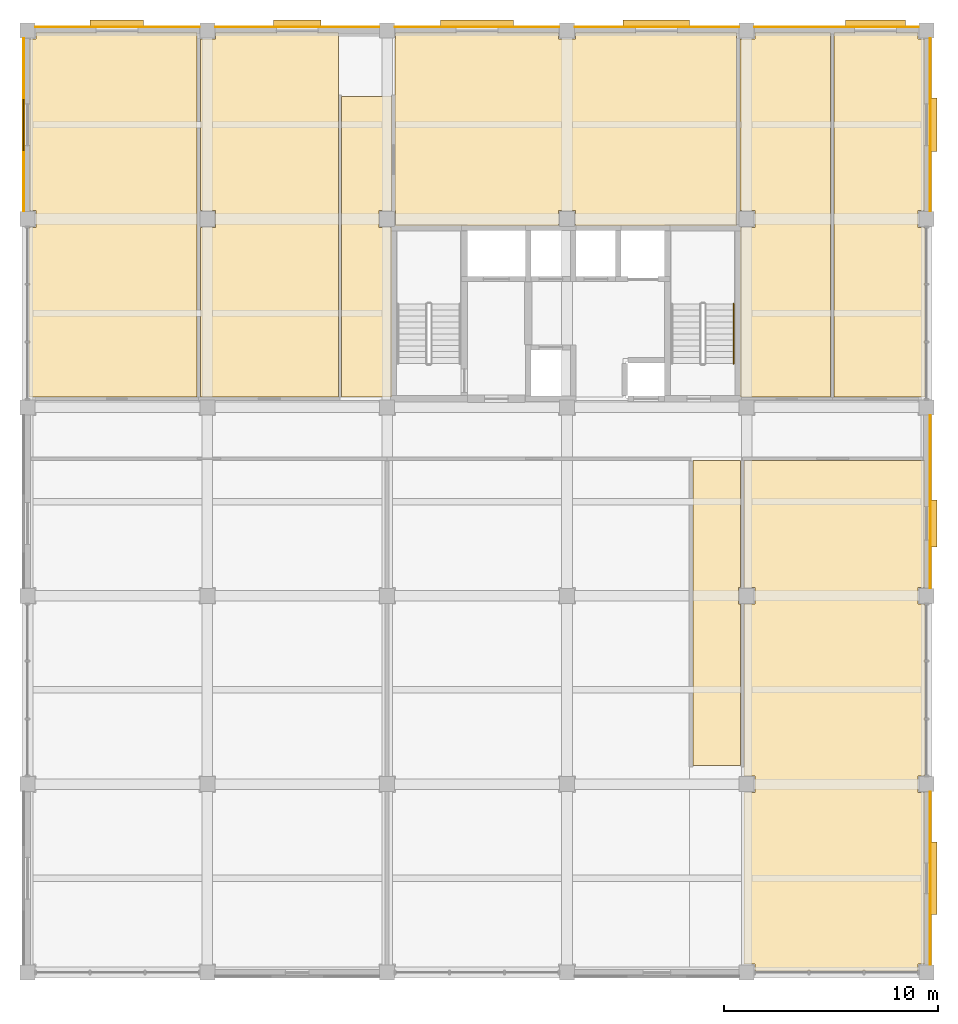
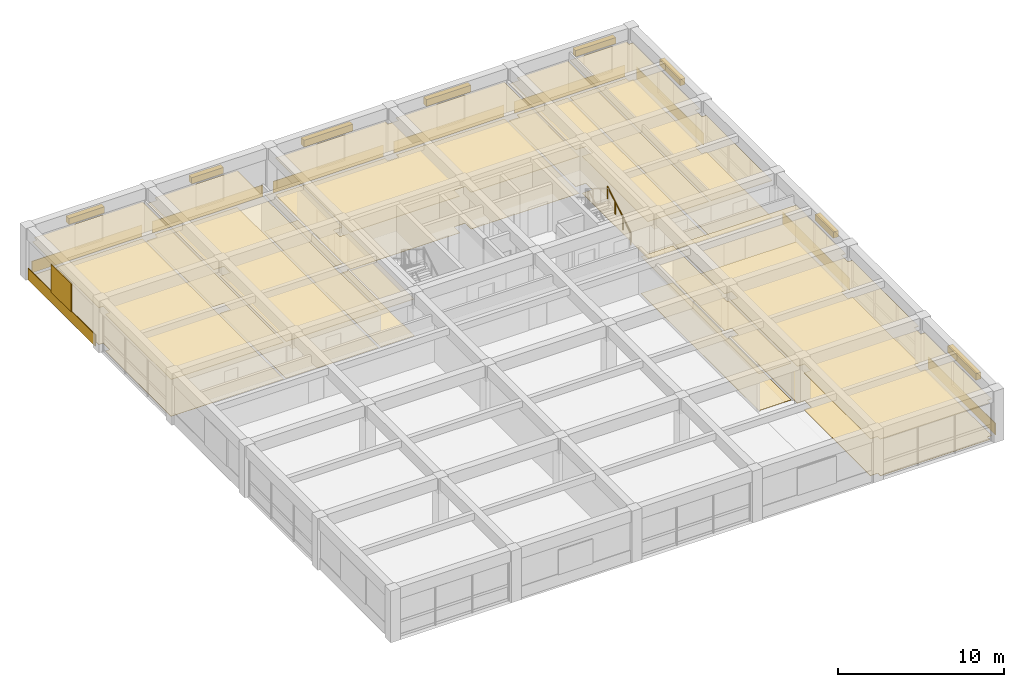
# One storey, part 12 of 12: 25 coverings, 9 shading devices, 1 railing.
"""IFC4 building model written with IfcOpenShell, lengths in metres."""

import ifcopenshell
import ifcopenshell.guid

model = None  # the IFC model being written
_history = None  # IfcOwnerHistory: only IFC2X3 demands one
_inside = {}  # id of a spatial element -> (the spatial element, [elements in it])
_under = {}  # id of a project, library or spatial element -> (it, [spatial elements below it])
_declared = {}  # id of a project -> (the project, [libraries it declares])
_typed = {}  # id of a type object -> (the type object, [elements of that type])
_made_of = {}  # id of a material, layer set ... -> (it, [elements and type objects made of it])


def new_model(schema):
    """Start an empty IFC model of exactly this schema.

    Asked for "IFC4X3", IfcOpenShell would pick the latest addendum, in which some entities
    have other attributes; the version numbers below select the first issue.
    IFC2X3 requires an IfcOwnerHistory on every rooted entity: one is made here for all.
    """
    global model, _history
    if schema == "IFC4X3":
        model = ifcopenshell.file(schema_version=(4, 3, 0, 0))
    else:
        model = ifcopenshell.file(schema=schema)
    _inside.clear()
    _under.clear()
    _declared.clear()
    _typed.clear()
    _made_of.clear()
    _history = None
    if model.schema == "IFC2X3":
        org = make("IfcOrganization", Name="unknown")
        user = make(
            "IfcPersonAndOrganization",
            ThePerson=make("IfcPerson", FamilyName="unknown"),
            TheOrganization=org,
        )
        app = make(
            "IfcApplication",
            ApplicationDeveloper=org,
            Version="unknown",
            ApplicationFullName="unknown",
            ApplicationIdentifier="unknown",
        )
        _history = make(
            "IfcOwnerHistory",
            OwningUser=user,
            OwningApplication=app,
            ChangeAction="ADDED",
            CreationDate=0,
        )
    return model


def make(cls, **values):
    """One entity of the class cls with the attributes given. An attribute that is None is left unset."""
    return model.create_entity(
        cls, **{name: value for name, value in values.items() if value is not None}
    )


def rooted(cls, **values):
    """An entity with a GlobalId (a new one), such as an element, a storey or a relation."""
    return make(cls, GlobalId=ifcopenshell.guid.new(), OwnerHistory=_history, **values)


def si_unit(unit_type, name, prefix=None):
    """IfcSIUnit, for example si_unit("LENGTHUNIT", "METRE", prefix="MILLI")."""
    return make("IfcSIUnit", UnitType=unit_type, Prefix=prefix, Name=name)


def assignment(units):
    """IfcUnitAssignment: the units of a project."""
    return None if units is None else make("IfcUnitAssignment", Units=units)


def point(xyz):
    """IfcCartesianPoint."""
    return None if xyz is None else make("IfcCartesianPoint", Coordinates=xyz)


def direction(xyz):
    """IfcDirection."""
    return None if xyz is None else make("IfcDirection", DirectionRatios=xyz)


def frame(location, z_axis=None, x_axis=None):
    """IfcAxis2Placement3D, a coordinate frame: its origin and axes. An axis left out is left unset."""
    return make(
        "IfcAxis2Placement3D",
        Location=point(location),
        Axis=direction(z_axis),
        RefDirection=direction(x_axis),
    )


def frame_2d(location, x_axis=None):
    """IfcAxis2Placement2D, a coordinate frame in the plane: its origin and x axis."""
    return make(
        "IfcAxis2Placement2D", Location=point(location), RefDirection=direction(x_axis)
    )


def origin():
    """The frame at (0, 0, 0) with its axes left unset."""
    return frame((0.0, 0.0, 0.0))


def origin_2d():
    """The frame at (0, 0) in the plane with its x axis left unset."""
    return frame_2d((0.0, 0.0))


def place(relative_to, where):
    """IfcLocalPlacement: puts the frame where relative to a parent placement (None: the world)."""
    return make(
        "IfcLocalPlacement", PlacementRelTo=relative_to, RelativePlacement=where
    )


def context(
    kind, dimensions, precision=None, world=None, true_north=None, identifier=None
):
    """IfcGeometricRepresentationContext, for example the 3D "Model" context."""
    return make(
        "IfcGeometricRepresentationContext",
        ContextIdentifier=identifier,
        ContextType=kind,
        CoordinateSpaceDimension=dimensions,
        Precision=precision,
        WorldCoordinateSystem=world,
        TrueNorth=true_north,
    )


def subcontext(parent, identifier, kind, view, scale=None):
    """IfcGeometricRepresentationSubContext, for example "Body" below "Model"."""
    return make(
        "IfcGeometricRepresentationSubContext",
        ContextIdentifier=identifier,
        ContextType=kind,
        ParentContext=parent,
        TargetScale=scale,
        TargetView=view,
    )


def project(units=None, contexts=None):
    """IfcProject with its units and contexts."""
    return rooted(
        "IfcProject",
        Name="project",
        RepresentationContexts=contexts,
        UnitsInContext=assignment(units),
    )


def spatial(cls, under=None, at=None, **own):
    """A site, building, storey or space (cls), placed at a placement, below another one or the project."""
    s = rooted(cls, ObjectPlacement=at, **own)
    if under is not None:
        _under.setdefault(under.id(), (under, []))[1].append(s)
    return s


def polyline(points):
    """IfcPolyline through the points."""
    return make("IfcPolyline", Points=[point(p) for p in points])


def profile(cls, at=None, kind="AREA", **sizes):
    """A parametric profile (cls). Its sizes go by their IFC names, for example OverallWidth=200.0."""
    return make(cls, ProfileType=kind, Position=at, **sizes)


def rectangle(**sizes):
    """IfcRectangleProfileDef."""
    return profile("IfcRectangleProfileDef", **sizes)


def circle(**sizes):
    """IfcCircleProfileDef."""
    return profile("IfcCircleProfileDef", **sizes)


def outline(outer, holes=None, kind="AREA"):
    """IfcArbitraryClosedProfileDef: a profile drawn as a closed curve; with holes, ...WithVoids."""
    if holes is None:
        return make("IfcArbitraryClosedProfileDef", ProfileType=kind, OuterCurve=outer)
    return make(
        "IfcArbitraryProfileDefWithVoids",
        ProfileType=kind,
        OuterCurve=outer,
        InnerCurves=holes,
    )


def extrude(swept, where, along, depth):
    """IfcExtrudedAreaSolid: the profile swept, set in the frame where, extruded along a direction by depth."""
    return make(
        "IfcExtrudedAreaSolid",
        SweptArea=swept,
        Position=where,
        ExtrudedDirection=direction(along),
        Depth=depth,
    )


def shape(context_of_items, identifier, shape_type, items):
    """IfcShapeRepresentation: the items that make up one representation, for example the "Body"."""
    return make(
        "IfcShapeRepresentation",
        ContextOfItems=context_of_items,
        RepresentationIdentifier=identifier,
        RepresentationType=shape_type,
        Items=items,
    )


def material(Name=None, Category=None):
    """IfcMaterial."""
    return make("IfcMaterial", Name=Name, Category=Category)


def layer(
    of_material, thickness, ventilated=None, Name=None, Category=None, Priority=None
):
    """IfcMaterialLayer: one layer of a wall or slab, of a material (None: an air gap)."""
    return make(
        "IfcMaterialLayer",
        Material=of_material,
        LayerThickness=thickness,
        IsVentilated=ventilated,
        Name=Name,
        Category=Category,
        Priority=Priority,
    )


def layer_set(layers, Name=None):
    """IfcMaterialLayerSet."""
    return make("IfcMaterialLayerSet", MaterialLayers=layers, LayerSetName=Name)


def made_of(thing, what):
    """Note that an element or type object is made of a material, layer set ...; save() writes the relation."""
    if what is not None:
        _made_of.setdefault(what.id(), (what, []))[1].append(thing)
    return thing


def type_object(cls, material=None, **own):
    """A type object (cls), such as IfcWallType, which elements share."""
    return made_of(rooted(cls, **own), material)


def element(
    cls,
    number,
    at=None,
    inside=None,
    cuts=None,
    type_object=None,
    material=None,
    context=None,
    identifier="Body",
    shape_type=None,
    held_by="IfcProductDefinitionShape",
    body=None,
    shapes=None,
    **own,
):
    """One element of the class cls, such as IfcWall. Its Tag is "e" and its number.

    at: its placement. inside: the storey or other place that contains it. cuts: it is an
    opening in that element (IfcRelVoidsElement). A single representation is given by context,
    identifier, shape_type and body (its items); several are given by shapes. held_by: the class
    of the entity that holds the representations. save() writes the other relations.
    """
    e = rooted(cls, Tag="e%d" % number, ObjectPlacement=at, **own)
    if body is not None:
        shapes = [shape(context, identifier, shape_type, body)]
    if shapes is not None:
        e.Representation = make(held_by, Representations=shapes)
    if inside is not None:
        _inside.setdefault(inside.id(), (inside, []))[1].append(e)
    if cuts is not None:
        rooted(
            "IfcRelVoidsElement", RelatingBuildingElement=cuts, RelatedOpeningElement=e
        )
    if type_object is not None:
        _typed.setdefault(type_object.id(), (type_object, []))[1].append(e)
    return made_of(e, material)


def aggregate(whole, parts):
    """IfcRelAggregates: a whole, such as a stair, and the parts it consists of."""
    return rooted("IfcRelAggregates", RelatingObject=whole, RelatedObjects=parts)


def save(model, path):
    """Write the relations noted so far, then the file.

    IfcRelAggregates (storeys below a building ...), IfcRelContainedInSpatialStructure (elements
    in a storey), IfcRelDefinesByType, IfcRelAssociatesMaterial and IfcRelDeclares: one each for
    every whole, place, type object, material and project.
    """
    for whole, parts in _under.values():
        aggregate(whole, parts)
    for where, things in _inside.values():
        rooted(
            "IfcRelContainedInSpatialStructure",
            RelatedElements=things,
            RelatingStructure=where,
        )
    for kind, things in _typed.values():
        rooted("IfcRelDefinesByType", RelatedObjects=things, RelatingType=kind)
    for what, things in _made_of.values():
        rooted("IfcRelAssociatesMaterial", RelatedObjects=things, RelatingMaterial=what)
    for by, libraries in _declared.values():
        rooted("IfcRelDeclares", RelatingContext=by, RelatedDefinitions=libraries)
    model.write(path)


model = new_model("IFC4")

# Units and contexts
model_context = context("Model", 3, precision=1e-05, world=origin(), true_north=direction((0.0, 1.0)))
body_context = subcontext(model_context, "Body", "Model", "MODEL_VIEW")
ifc_project = project(units=[si_unit("LENGTHUNIT", "METRE"), si_unit("AREAUNIT", "SQUARE_METRE"), si_unit("VOLUMEUNIT", "CUBIC_METRE"), si_unit("PLANEANGLEUNIT", "RADIAN"), si_unit("MASSUNIT", "GRAM", prefix="KILO")], contexts=[model_context])

# Site, building, storey
site_placement = place(None, origin())
site = spatial("IfcSite", under=ifc_project, at=site_placement, CompositionType="ELEMENT")
building_placement = place(site_placement, origin())
building = spatial("IfcBuilding", under=site, at=building_placement, Name="Kemercrest Conservatory and Botanical Centre", CompositionType="ELEMENT")
storey_placement = place(building_placement, frame((0.0, 0.0, 21.0)))
storey = spatial("IfcBuildingStorey", under=building, at=storey_placement, Name="L05", CompositionType="ELEMENT", Elevation=21.0)

# Coverings
ifc_material_1 = material(Name="Honed limestone almasik ashlar rainscreen", Category="masonry")
ifc_layer_1 = layer(ifc_material_1, 0.0400390625)
ifc_layer_set_1 = layer_set([ifc_layer_1], Name="Honed limestone almasik ashlar rainscreen")
covering_type_1 = type_object("IfcCoveringType", Name="CV-CLD040", PredefinedType="CLADDING", material=ifc_layer_set_1)
covering_1_placement = place(storey_placement, origin())
element("IfcCovering", 1, at=covering_1_placement, inside=storey, type_object=covering_type_1, Name="Exterior stone spandrel cladding (WAL:L05:EXT-239)", PredefinedType="CLADDING", context=body_context, shape_type="SweptSolid", body=[
    extrude(outline(polyline([(176.14990234375, 78.760009765625), (176.18994140625, 78.760009765625), (176.18994140625, 86.840087890625), (176.14990234375, 86.840087890625), (176.14990234375, 78.760009765625)])), origin(), (0.0, 0.0, 1.0), 0.85009765625),
])
covering_2_placement = place(storey_placement, origin())
element("IfcCovering", 2, at=covering_2_placement, inside=storey, type_object=covering_type_1, Name="Exterior stone spandrel cladding (WAL:L05:EXT-240)", PredefinedType="CLADDING", context=body_context, shape_type="SweptSolid", body=[
    extrude(outline(polyline([(176.14990234375, 96.360107421875), (176.18994140625, 96.360107421875), (176.18994140625, 104.43994140625), (176.14990234375, 104.43994140625), (176.14990234375, 96.360107421875)])), origin(), (0.0, 0.0, 1.0), 0.85009765625),
])
covering_3_placement = place(storey_placement, origin())
element("IfcCovering", 3, at=covering_3_placement, inside=storey, type_object=covering_type_1, Name="Exterior stone spandrel cladding (WAL:L05:EXT-241)", PredefinedType="CLADDING", context=body_context, shape_type="SweptSolid", body=[
    extrude(outline(polyline([(176.14990234375, 113.9599609375), (176.18994140625, 113.9599609375), (176.18994140625, 122.0400390625), (176.14990234375, 122.0400390625), (176.14990234375, 113.9599609375)])), origin(), (0.0, 0.0, 1.0), 0.85009765625),
])
covering_4_placement = place(storey_placement, origin())
element("IfcCovering", 4, at=covering_4_placement, inside=storey, type_object=covering_type_1, Name="Exterior stone spandrel cladding (WAL:L05:EXT-242)", PredefinedType="CLADDING", context=body_context, shape_type="SweptSolid", body=[
    extrude(outline(polyline([(175.639892578125, 122.550048828125), (175.639892578125, 122.590087890625), (167.9599609375, 122.590087890625), (167.9599609375, 122.550048828125), (175.639892578125, 122.550048828125)])), origin(), (0.0, 0.0, 1.0), 0.85009765625),
])
covering_5_placement = place(storey_placement, origin())
element("IfcCovering", 5, at=covering_5_placement, inside=storey, type_object=covering_type_1, Name="Exterior stone spandrel cladding (WAL:L05:EXT-243)", PredefinedType="CLADDING", context=body_context, shape_type="SweptSolid", body=[
    extrude(outline(polyline([(167.239990234375, 122.550048828125), (167.239990234375, 122.590087890625), (159.56005859375, 122.590087890625), (159.56005859375, 122.550048828125), (167.239990234375, 122.550048828125)])), origin(), (0.0, 0.0, 1.0), 0.85009765625),
])
covering_6_placement = place(storey_placement, origin())
element("IfcCovering", 6, at=covering_6_placement, inside=storey, type_object=covering_type_1, Name="Exterior stone spandrel cladding (WAL:L05:EXT-244)", PredefinedType="CLADDING", context=body_context, shape_type="SweptSolid", body=[
    extrude(outline(polyline([(158.840087890625, 122.550048828125), (158.840087890625, 122.590087890625), (151.159912109375, 122.590087890625), (151.159912109375, 122.550048828125), (158.840087890625, 122.550048828125)])), origin(), (0.0, 0.0, 1.0), 0.85009765625),
])
covering_7_placement = place(storey_placement, origin())
element("IfcCovering", 7, at=covering_7_placement, inside=storey, type_object=covering_type_1, Name="Exterior stone spandrel cladding (WAL:L05:EXT-245)", PredefinedType="CLADDING", context=body_context, shape_type="SweptSolid", body=[
    extrude(outline(polyline([(150.43994140625, 122.550048828125), (150.43994140625, 122.590087890625), (142.760009765625, 122.590087890625), (142.760009765625, 122.550048828125), (150.43994140625, 122.550048828125)])), origin(), (0.0, 0.0, 1.0), 0.85009765625),
])
covering_8_placement = place(storey_placement, origin())
element("IfcCovering", 8, at=covering_8_placement, inside=storey, type_object=covering_type_1, Name="Exterior stone spandrel cladding (WAL:L05:EXT-246)", PredefinedType="CLADDING", context=body_context, shape_type="SweptSolid", body=[
    extrude(outline(polyline([(142.0400390625, 122.550048828125), (142.0400390625, 122.590087890625), (134.360107421875, 122.590087890625), (134.360107421875, 122.550048828125), (142.0400390625, 122.550048828125)])), origin(), (0.0, 0.0, 1.0), 0.85009765625),
])
covering_9_placement = place(storey_placement, origin())
element("IfcCovering", 9, at=covering_9_placement, inside=storey, type_object=covering_type_1, Name="Exterior stone spandrel cladding (WAL:L05:EXT-247)", PredefinedType="CLADDING", context=body_context, shape_type="SweptSolid", body=[
    extrude(outline(polyline([(133.85009765625, 122.0400390625), (133.81005859375, 122.0400390625), (133.81005859375, 113.9599609375), (133.85009765625, 113.9599609375), (133.85009765625, 122.0400390625)])), origin(), (0.0, 0.0, 1.0), 0.85009765625),
])
ifc_material_2 = material(Name="Perforated acoustic gypsum and mineral-fibre suspended ceiling", Category="gypsum")
ifc_layer_2 = layer(ifc_material_2, 0.034912109375)
ifc_layer_set_2 = layer_set([ifc_layer_2], Name="Perforated acoustic gypsum and mineral-fibre suspended ceiling")
covering_type_2 = type_object("IfcCoveringType", Name="CV-CLG035", PredefinedType="CEILING", material=ifc_layer_set_2)
covering_10_placement = place(storey_placement, frame((0.0, 0.0, 2.699951171875)))
element("IfcCovering", 10, at=covering_10_placement, inside=storey, type_object=covering_type_2, Name="East Lab Corridor suspended acoustic ceiling", PredefinedType="CEILING", context=body_context, shape_type="SweptSolid", body=[
    extrude(outline(polyline([(165.080078125, 88.080078125), (167.320068359375, 88.080078125), (167.320068359375, 95.610107421875), (167.2099609375, 95.610107421875), (167.2099609375, 96.389892578125), (167.320068359375, 96.389892578125), (167.320068359375, 102.320068359375), (165.080078125, 102.320068359375), (165.080078125, 88.080078125)])), origin(), (0.0, 0.0, 1.0), 0.03515625),
])
covering_11_placement = place(storey_placement, frame((0.0, 0.0, 2.699951171875)))
element("IfcCovering", 11, at=covering_11_placement, inside=storey, type_object=covering_type_2, Name="Botanical Seminar Room suspended acoustic ceiling", PredefinedType="CEILING", context=body_context, shape_type="SweptSolid", body=[
    extrude(outline(polyline([(167.989990234375, 78.47998046875), (175.610107421875, 78.47998046875), (175.610107421875, 78.7900390625), (175.919921875, 78.7900390625), (175.919921875, 86.81005859375), (175.610107421875, 86.81005859375), (175.610107421875, 87.590087890625), (175.919921875, 87.590087890625), (175.919921875, 95.610107421875), (175.610107421875, 95.610107421875), (175.610107421875, 96.389892578125), (175.919921875, 96.389892578125), (175.919921875, 102.320068359375), (167.47998046875, 102.320068359375), (167.47998046875, 96.389892578125), (167.989990234375, 96.389892578125), (167.989990234375, 95.610107421875), (167.47998046875, 95.610107421875), (167.47998046875, 87.590087890625), (167.989990234375, 87.590087890625), (167.989990234375, 86.81005859375), (167.47998046875, 86.81005859375), (167.47998046875, 78.7900390625), (167.989990234375, 78.7900390625), (167.989990234375, 78.47998046875)])), origin(), (0.0, 0.0, 1.0), 0.03515625),
])
covering_12_placement = place(storey_placement, frame((0.0, 0.0, 2.699951171875)))
element("IfcCovering", 12, at=covering_12_placement, inside=storey, type_object=covering_type_2, Name="Taxonomic Write-Up Office suspended acoustic ceiling", PredefinedType="CEILING", context=body_context, shape_type="SweptSolid", body=[
    extrude(outline(polyline([(134.080078125, 105.280029296875), (141.919921875, 105.280029296875), (141.919921875, 122.320068359375), (134.389892578125, 122.320068359375), (134.389892578125, 122.010009765625), (134.080078125, 122.010009765625), (134.080078125, 113.989990234375), (134.389892578125, 113.989990234375), (134.389892578125, 113.2099609375), (134.080078125, 113.2099609375), (134.080078125, 105.280029296875)])), origin(), (0.0, 0.0, 1.0), 0.03515625),
])
covering_13_placement = place(storey_placement, frame((0.0, 0.0, 2.699951171875)))
element("IfcCovering", 13, at=covering_13_placement, inside=storey, type_object=covering_type_2, Name="Dry Botany Studio suspended acoustic ceiling", PredefinedType="CEILING", context=body_context, shape_type="SweptSolid", body=[
    extrude(outline(polyline([(142.080078125, 105.280029296875), (148.52001953125, 105.280029296875), (148.52001953125, 122.320068359375), (142.7900390625, 122.320068359375), (142.7900390625, 122.010009765625), (142.080078125, 122.010009765625), (142.080078125, 113.989990234375), (142.7900390625, 113.989990234375), (142.7900390625, 113.2099609375), (142.080078125, 113.2099609375), (142.080078125, 105.280029296875)])), origin(), (0.0, 0.0, 1.0), 0.03515625),
])
covering_14_placement = place(storey_placement, frame((0.0, 0.0, 2.699951171875)))
element("IfcCovering", 14, at=covering_14_placement, inside=storey, type_object=covering_type_2, Name="Autoclave and Media Laboratory suspended acoustic ceiling", PredefinedType="CEILING", context=body_context, shape_type="SweptSolid", body=[
    extrude(outline(polyline([(159.590087890625, 113.280029296875), (167.1201171875, 113.280029296875), (167.1201171875, 122.320068359375), (159.590087890625, 122.320068359375), (159.590087890625, 122.010009765625), (158.81005859375, 122.010009765625), (158.81005859375, 122.320068359375), (151.18994140625, 122.320068359375), (151.18994140625, 122.010009765625), (151.179931640625, 122.010009765625), (151.179931640625, 113.989990234375), (151.18994140625, 113.989990234375), (151.18994140625, 113.280029296875), (158.81005859375, 113.280029296875), (158.81005859375, 113.989990234375), (159.590087890625, 113.989990234375), (159.590087890625, 113.280029296875)])), origin(), (0.0, 0.0, 1.0), 0.03515625),
])
covering_15_placement = place(storey_placement, frame((0.0, 0.0, 2.699951171875)))
element("IfcCovering", 15, at=covering_15_placement, inside=storey, type_object=covering_type_2, Name="North Core Lobby Branch suspended acoustic ceiling", PredefinedType="CEILING", context=body_context, shape_type="SweptSolid", body=[
    extrude(outline(polyline([(148.679931640625, 105.280029296875), (151.02001953125, 105.280029296875), (151.02001953125, 113.2099609375), (150.409912109375, 113.2099609375), (150.409912109375, 113.989990234375), (151.02001953125, 113.989990234375), (151.02001953125, 119.320068359375), (148.679931640625, 119.320068359375), (148.679931640625, 105.280029296875)])), origin(), (0.0, 0.0, 1.0), 0.03515625),
])
covering_16_placement = place(storey_placement, frame((0.0, 0.0, 2.699951171875)))
element("IfcCovering", 16, at=covering_16_placement, inside=storey, type_object=covering_type_2, Name="Staff Washroom suspended acoustic ceiling", PredefinedType="CEILING", context=body_context, shape_type="SweptSolid", body=[
    extrude(outline(polyline([(167.280029296875, 105.280029296875), (171.52001953125, 105.280029296875), (171.52001953125, 122.320068359375), (167.989990234375, 122.320068359375), (167.989990234375, 122.010009765625), (167.280029296875, 122.010009765625), (167.280029296875, 113.989990234375), (167.989990234375, 113.989990234375), (167.989990234375, 113.2099609375), (167.280029296875, 113.2099609375), (167.280029296875, 105.280029296875)])), origin(), (0.0, 0.0, 1.0), 0.03515625),
])
covering_17_placement = place(storey_placement, frame((0.0, 0.0, 2.699951171875)))
element("IfcCovering", 17, at=covering_17_placement, inside=storey, type_object=covering_type_2, Name="Accessible Washroom suspended acoustic ceiling", PredefinedType="CEILING", context=body_context, shape_type="SweptSolid", body=[
    extrude(outline(polyline([(171.679931640625, 105.280029296875), (175.919921875, 105.280029296875), (175.919921875, 113.2099609375), (175.610107421875, 113.2099609375), (175.610107421875, 113.989990234375), (175.919921875, 113.989990234375), (175.919921875, 122.010009765625), (175.610107421875, 122.010009765625), (175.610107421875, 122.320068359375), (171.679931640625, 122.320068359375), (171.679931640625, 105.280029296875)])), origin(), (0.0, 0.0, 1.0), 0.03515625),
])
ifc_material_3 = material(Name="Polished limestone terrazzo and seamless laboratory epoxy flooring", Category="masonry")
ifc_layer_3 = layer(ifc_material_3, 0.02001953125)
ifc_layer_set_3 = layer_set([ifc_layer_3], Name="Polished limestone terrazzo and seamless laboratory epoxy flooring")
covering_type_3 = type_object("IfcCoveringType", Name="CV-FLR020", PredefinedType="FLOORING", material=ifc_layer_set_3)
covering_18_placement = place(storey_placement, origin())
element("IfcCovering", 18, at=covering_18_placement, inside=storey, type_object=covering_type_3, Name="East Lab Corridor floor finish", PredefinedType="FLOORING", context=body_context, shape_type="SweptSolid", body=[
    extrude(outline(polyline([(165.080078125, 88.080078125), (167.320068359375, 88.080078125), (167.320068359375, 95.610107421875), (167.2099609375, 95.610107421875), (167.2099609375, 96.389892578125), (167.320068359375, 96.389892578125), (167.320068359375, 102.320068359375), (165.080078125, 102.320068359375), (165.080078125, 88.080078125)])), origin(), (0.0, 0.0, 1.0), 0.02001953125),
])
covering_19_placement = place(storey_placement, origin())
element("IfcCovering", 19, at=covering_19_placement, inside=storey, type_object=covering_type_3, Name="Botanical Seminar Room floor finish", PredefinedType="FLOORING", context=body_context, shape_type="SweptSolid", body=[
    extrude(outline(polyline([(167.989990234375, 78.47998046875), (175.610107421875, 78.47998046875), (175.610107421875, 78.7900390625), (175.919921875, 78.7900390625), (175.919921875, 86.81005859375), (175.610107421875, 86.81005859375), (175.610107421875, 87.590087890625), (175.919921875, 87.590087890625), (175.919921875, 95.610107421875), (175.610107421875, 95.610107421875), (175.610107421875, 96.389892578125), (175.919921875, 96.389892578125), (175.919921875, 102.320068359375), (167.47998046875, 102.320068359375), (167.47998046875, 96.389892578125), (167.989990234375, 96.389892578125), (167.989990234375, 95.610107421875), (167.47998046875, 95.610107421875), (167.47998046875, 87.590087890625), (167.989990234375, 87.590087890625), (167.989990234375, 86.81005859375), (167.47998046875, 86.81005859375), (167.47998046875, 78.7900390625), (167.989990234375, 78.7900390625), (167.989990234375, 78.47998046875)])), origin(), (0.0, 0.0, 1.0), 0.02001953125),
])
covering_20_placement = place(storey_placement, origin())
element("IfcCovering", 20, at=covering_20_placement, inside=storey, type_object=covering_type_3, Name="Taxonomic Write-Up Office floor finish", PredefinedType="FLOORING", context=body_context, shape_type="SweptSolid", body=[
    extrude(outline(polyline([(134.080078125, 105.280029296875), (141.919921875, 105.280029296875), (141.919921875, 122.320068359375), (134.389892578125, 122.320068359375), (134.389892578125, 122.010009765625), (134.080078125, 122.010009765625), (134.080078125, 113.989990234375), (134.389892578125, 113.989990234375), (134.389892578125, 113.2099609375), (134.080078125, 113.2099609375), (134.080078125, 105.280029296875)])), origin(), (0.0, 0.0, 1.0), 0.02001953125),
])
covering_21_placement = place(storey_placement, origin())
element("IfcCovering", 21, at=covering_21_placement, inside=storey, type_object=covering_type_3, Name="Dry Botany Studio floor finish", PredefinedType="FLOORING", context=body_context, shape_type="SweptSolid", body=[
    extrude(outline(polyline([(142.080078125, 105.280029296875), (148.52001953125, 105.280029296875), (148.52001953125, 122.320068359375), (142.7900390625, 122.320068359375), (142.7900390625, 122.010009765625), (142.080078125, 122.010009765625), (142.080078125, 113.989990234375), (142.7900390625, 113.989990234375), (142.7900390625, 113.2099609375), (142.080078125, 113.2099609375), (142.080078125, 105.280029296875)])), origin(), (0.0, 0.0, 1.0), 0.02001953125),
])
covering_22_placement = place(storey_placement, origin())
element("IfcCovering", 22, at=covering_22_placement, inside=storey, type_object=covering_type_3, Name="Autoclave and Media Laboratory floor finish", PredefinedType="FLOORING", context=body_context, shape_type="SweptSolid", body=[
    extrude(outline(polyline([(159.590087890625, 113.280029296875), (167.1201171875, 113.280029296875), (167.1201171875, 122.320068359375), (159.590087890625, 122.320068359375), (159.590087890625, 122.010009765625), (158.81005859375, 122.010009765625), (158.81005859375, 122.320068359375), (151.18994140625, 122.320068359375), (151.18994140625, 122.010009765625), (151.179931640625, 122.010009765625), (151.179931640625, 113.989990234375), (151.18994140625, 113.989990234375), (151.18994140625, 113.280029296875), (158.81005859375, 113.280029296875), (158.81005859375, 113.989990234375), (159.590087890625, 113.989990234375), (159.590087890625, 113.280029296875)])), origin(), (0.0, 0.0, 1.0), 0.02001953125),
])
covering_23_placement = place(storey_placement, origin())
element("IfcCovering", 23, at=covering_23_placement, inside=storey, type_object=covering_type_3, Name="North Core Lobby Branch floor finish", PredefinedType="FLOORING", context=body_context, shape_type="SweptSolid", body=[
    extrude(outline(polyline([(148.679931640625, 105.280029296875), (151.02001953125, 105.280029296875), (151.02001953125, 113.2099609375), (150.409912109375, 113.2099609375), (150.409912109375, 113.989990234375), (151.02001953125, 113.989990234375), (151.02001953125, 119.320068359375), (148.679931640625, 119.320068359375), (148.679931640625, 105.280029296875)])), origin(), (0.0, 0.0, 1.0), 0.02001953125),
])
covering_24_placement = place(storey_placement, origin())
element("IfcCovering", 24, at=covering_24_placement, inside=storey, type_object=covering_type_3, Name="Staff Washroom floor finish", PredefinedType="FLOORING", context=body_context, shape_type="SweptSolid", body=[
    extrude(outline(polyline([(167.280029296875, 105.280029296875), (171.52001953125, 105.280029296875), (171.52001953125, 122.320068359375), (167.989990234375, 122.320068359375), (167.989990234375, 122.010009765625), (167.280029296875, 122.010009765625), (167.280029296875, 113.989990234375), (167.989990234375, 113.989990234375), (167.989990234375, 113.2099609375), (167.280029296875, 113.2099609375), (167.280029296875, 105.280029296875)])), origin(), (0.0, 0.0, 1.0), 0.02001953125),
])
covering_25_placement = place(storey_placement, origin())
element("IfcCovering", 25, at=covering_25_placement, inside=storey, type_object=covering_type_3, Name="Accessible Washroom floor finish", PredefinedType="FLOORING", context=body_context, shape_type="SweptSolid", body=[
    extrude(outline(polyline([(171.679931640625, 105.280029296875), (175.919921875, 105.280029296875), (175.919921875, 113.2099609375), (175.610107421875, 113.2099609375), (175.610107421875, 113.989990234375), (175.919921875, 113.989990234375), (175.919921875, 122.010009765625), (175.610107421875, 122.010009765625), (175.610107421875, 122.320068359375), (171.679931640625, 122.320068359375), (171.679931640625, 105.280029296875)])), origin(), (0.0, 0.0, 1.0), 0.02001953125),
])

# Railing
ifc_material_4 = material(Name="Brushed stainless steel wall-mounted handrail", Category="steel")
railing_type = type_object("IfcRailingType", Name="HR-STR090", PredefinedType="HANDRAIL", material=ifc_material_4)
railing_placement = place(storey_placement, frame((166.989990234375, 106.840087890625, 0.172607421875)))
element("IfcRailing", 26, at=railing_placement, inside=storey, type_object=railing_type, Name="L05 ST-V4B stair handrail 1", PredefinedType="HANDRAIL", context=body_context, shape_type="SweptSolid", body=[
    extrude(circle(Radius=0.02392578125, at=origin_2d()), frame((0.0, 0.0, 0.8759765625), z_axis=(0.0, 0.851069175582, 0.525053576669), x_axis=(-1.0, 0.0, 0.0)), (0.0, 0.0, 1.0), 3.289794921875),
    extrude(circle(Radius=0.02099609375, at=origin_2d()), origin(), (0.0, 0.0, 1.0), 0.851806640625),
    extrude(circle(Radius=0.02099609375, at=origin_2d()), frame((0.0, 0.933349609375, 0.57568359375)), (0.0, 0.0, 1.0), 0.851806640625),
    extrude(circle(Radius=0.02099609375, at=origin_2d()), frame((0.0, 1.866455078125, 1.151611328125)), (0.0, 0.0, 1.0), 0.851806640625),
    extrude(circle(Radius=0.02099609375, at=origin_2d()), frame((0.0, 2.7998046875, 1.727294921875)), (0.0, 0.0, 1.0), 0.851806640625),
])

# Shading devices
ifc_material_5 = material(Name="Architectural bronze-anodized extruded aluminium", Category="aluminium")
shading_device_type_1 = type_object("IfcShadingDeviceType", Name="SH-JL01", PredefinedType="JALOUSIE", material=ifc_material_5)
shading_device_1_placement = place(storey_placement, frame((176.322998046875, 99.3798828125, 2.63525390625), z_axis=(0.0, 0.0, 1.0), x_axis=(0.0, 1.0, 0.0)))
element("IfcShadingDevice", 27, at=shading_device_1_placement, inside=storey, type_object=shading_device_type_1, Name="Solar control louvre visor SH-JL01 (WIN:L05:EXT-240)", PredefinedType="JALOUSIE", context=body_context, shape_type="SweptSolid", body=[
    extrude(rectangle(XDim=2.199951171875, YDim=0.35009765625, at=origin_2d()), origin(), (0.0, 0.0, 1.0), 0.449951171875),
])
shading_device_2_placement = place(storey_placement, frame((146.60009765625, 122.722900390625, 2.65478515625), z_axis=(0.0, 0.0, 1.0), x_axis=(-1.0, 0.0, 0.0)))
element("IfcShadingDevice", 28, at=shading_device_2_placement, inside=storey, type_object=shading_device_type_1, Name="Solar control louvre visor SH-JL01 (WIN:L05:EXT-245)", PredefinedType="JALOUSIE", context=body_context, shape_type="SweptSolid", body=[
    extrude(rectangle(XDim=2.22998046875, YDim=0.35009765625, at=origin_2d()), origin(), (0.0, 0.0, 1.0), 0.449951171875),
])
shading_device_type_2 = type_object("IfcShadingDeviceType", Name="SH-JL02", PredefinedType="JALOUSIE", material=ifc_material_5)
for number, where, z_axis, x_axis, name in (
    (29, (176.322998046875, 118.0, 2.65478515625), (0.0, 0.0, 1.0), (0.0, 1.0, 0.0), "Solar control louvre visor SH-JL02 (WIN:L05:EXT-241)"),
    (30, (138.179931640625, 122.722900390625, 2.65478515625), (0.0, 0.0, 1.0), (-1.0, 0.0, 0.0), "Solar control louvre visor SH-JL02 (WIN:L05:EXT-246)"),
):
    element("IfcShadingDevice", number, at=place(storey_placement, frame(where, z_axis=z_axis, x_axis=x_axis)), inside=storey, type_object=shading_device_type_2, Name=name, PredefinedType="JALOUSIE", context=body_context, shape_type="SweptSolid", body=[
        extrude(rectangle(XDim=2.5, YDim=0.35009765625, at=origin_2d()), origin(), (0.0, 0.0, 1.0), 0.449951171875),
    ])
shading_device_type_3 = type_object("IfcShadingDeviceType", Name="SH-JL03", PredefinedType="JALOUSIE", material=ifc_material_5)
shading_device_3_placement = place(storey_placement, frame((173.6201171875, 122.722900390625, 2.65478515625), z_axis=(0.0, 0.0, 1.0), x_axis=(-1.0, 0.0, 0.0)))
element("IfcShadingDevice", 31, at=shading_device_3_placement, inside=storey, type_object=shading_device_type_3, Name="Solar control louvre visor SH-JL03 (WIN:L05:EXT-242)", PredefinedType="JALOUSIE", context=body_context, shape_type="SweptSolid", body=[
    extrude(rectangle(XDim=2.800048828125, YDim=0.35009765625, at=origin_2d()), origin(), (0.0, 0.0, 1.0), 0.449951171875),
])
shading_device_type_4 = type_object("IfcShadingDeviceType", Name="SH-JL04", PredefinedType="JALOUSIE", material=ifc_material_5)
shading_device_4_placement = place(storey_placement, frame((163.3798828125, 122.722900390625, 2.6298828125), z_axis=(0.0, 0.0, 1.0), x_axis=(-1.0, 0.0, 0.0)))
element("IfcShadingDevice", 32, at=shading_device_4_placement, inside=storey, type_object=shading_device_type_4, Name="Solar control louvre visor SH-JL04 (WIN:L05:EXT-243)", PredefinedType="JALOUSIE", context=body_context, shape_type="SweptSolid", body=[
    extrude(rectangle(XDim=3.10009765625, YDim=0.35009765625, at=origin_2d()), origin(), (0.0, 0.0, 1.0), 0.5),
])
shading_device_type_5 = type_object("IfcShadingDeviceType", Name="SH-JL05", PredefinedType="JALOUSIE", material=ifc_material_5)
for number, where, z_axis, x_axis, name in (
    (33, (176.322998046875, 82.800048828125, 2.590087890625), (0.0, 0.0, 1.0), (0.0, 1.0, 0.0), "Solar control louvre visor SH-JL05 (WIN:L05:EXT-239)"),
    (34, (155.0, 122.722900390625, 2.6298828125), (0.0, 0.0, 1.0), (-1.0, 0.0, 0.0), "Solar control louvre visor SH-JL05 (WIN:L05:EXT-244)"),
):
    element("IfcShadingDevice", number, at=place(storey_placement, frame(where, z_axis=z_axis, x_axis=x_axis)), inside=storey, type_object=shading_device_type_5, Name=name, PredefinedType="JALOUSIE", context=body_context, shape_type="SweptSolid", body=[
        extrude(rectangle(XDim=3.39990234375, YDim=0.35009765625, at=origin_2d()), origin(), (0.0, 0.0, 1.0), 0.5),
    ])
ifc_material_6 = material(Name="Perforated bronze-anodized aluminium", Category="aluminium")
shading_device_type_6 = type_object("IfcShadingDeviceType", Name="SH-MS03", PredefinedType="USERDEFINED", material=ifc_material_6)
shading_device_5_placement = place(storey_placement, frame((133.81201171875, 118.0, 0.820068359375), z_axis=(0.0, 0.0, 1.0), x_axis=(0.0, -1.0, 0.0)))
element("IfcShadingDevice", 35, at=shading_device_5_placement, inside=storey, type_object=shading_device_type_6, Name="Ottoman mashrabiya perforated screen SH-MS03 (WIN:L05:EXT-247)", ObjectType="MASHRABIYA SCREEN", PredefinedType="USERDEFINED", context=body_context, shape_type="SweptSolid", body=[
    extrude(rectangle(XDim=2.39990234375, YDim=0.080078125, at=origin_2d()), origin(), (0.0, 0.0, 1.0), 2.06005859375),
])

save(model, "model.ifc")
